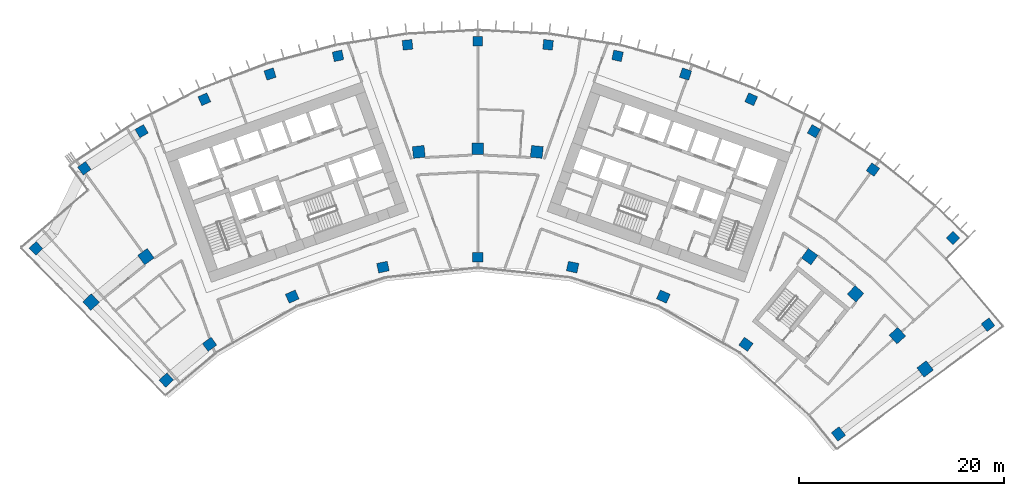
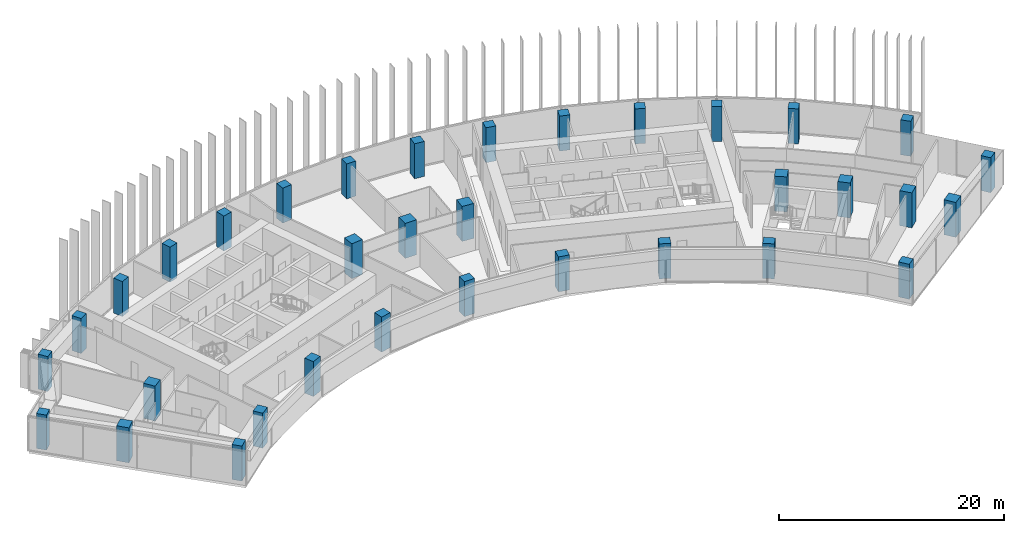
# One storey, part 1 of 19: 34 columns.
"""IFC4 building model written with IfcOpenShell, lengths in metres."""

from ifc_helpers import new_model, si_unit, direction, frame, origin, origin_2d, place, context, subcontext, project, spatial, rectangle, extrude, material, material_profile, profile_set, type_object, element, save


model = new_model("IFC4")

# Units and contexts
model_context = context("Model", 3, precision=1e-05, world=origin(), true_north=direction((0.0, 1.0)))
body_context = subcontext(model_context, "Body", "Model", "MODEL_VIEW")
ifc_project = project(units=[si_unit("LENGTHUNIT", "METRE"), si_unit("AREAUNIT", "SQUARE_METRE"), si_unit("VOLUMEUNIT", "CUBIC_METRE"), si_unit("PLANEANGLEUNIT", "RADIAN"), si_unit("MASSUNIT", "GRAM", prefix="KILO")], contexts=[model_context])

# Site, building, storey
site_placement = place(None, origin())
site = spatial("IfcSite", under=ifc_project, at=site_placement, CompositionType="ELEMENT")
building_placement = place(site_placement, origin())
building = spatial("IfcBuilding", under=site, at=building_placement, Name="Stone Belt Terrace Tower", CompositionType="ELEMENT")
storey_placement = place(building_placement, frame((0.0, 0.0, 223.800048828125)))
storey = spatial("IfcBuildingStorey", under=building, at=storey_placement, Name="L54", CompositionType="ELEMENT", Elevation=223.800048828125)

# Columns
ifc_material = material(Name="Concrete B60", Category="concrete")
ifc_material_profile_1 = material_profile(ifc_material, rectangle(XDim=1.050048828125, YDim=0.949951171875, at=origin_2d()), Name="RC 1050x950")
ifc_profile_set_1 = profile_set([ifc_material_profile_1], Name="Concrete B60")
column_type_1 = type_object("IfcColumnType", Name="Column RC 1050x950 B60", PredefinedType="COLUMN", material=ifc_profile_set_1)
for number, where, z_axis, x_axis, name in (
    (1, (-30.347412109375, 32.471435546875, 0.0), (0.0, 0.0, 1.0), (0.730599788141, 0.68280593844, 0.0), "Column L54 PA"),
    (2, (-26.1240234375, 35.956787109375, 0.0), (0.0, 0.0, 1.0), (0.809016994375, 0.587785252292, 0.0), "Column L54 P16"),
    (3, (-18.077392578125, 40.6025390625, 0.0), (0.0, 0.0, 1.0), (0.913545457643, 0.406736643076, 0.0), "Column L54 P18"),
    (4, (-9.240478515625, 43.473876953125, 0.0), (0.0, 0.0, 1.0), (0.978147600734, 0.207911690818, 0.0), "Column L54 P20"),
    (5, (0.0, 44.445068359375, 0.0), (0.0, 0.0, 1.0), (1.0, 0.0, 0.0), "Column L54 P22"),
    (6, (9.240478515625, 43.473876953125, 0.0), (0.0, 0.0, 1.0), (0.978147600734, -0.207911690818, 0.0), "Column L54 P24"),
    (7, (18.077392578125, 40.6025390625, 0.0), (0.0, 0.0, 1.0), (0.913545457643, -0.406736643076, 0.0), "Column L54 P26"),
    (8, (26.1240234375, 35.956787109375, 0.0), (0.0, 0.0, 1.0), (0.809016994375, -0.587785252292, 0.0), "Column L54 P28"),
    (9, (35.133056640625, 27.221923828125, 0.0), (0.0, 0.0, 1.0), (0.612484967582, -0.790482235402, 0.0), "Column L54 PB"),
):
    element("IfcColumn", number, at=place(storey_placement, frame(where, z_axis=z_axis, x_axis=x_axis)), inside=storey, type_object=column_type_1, Name=name, PredefinedType="COLUMN", context=body_context, shape_type="SweptSolid", body=[
        extrude(rectangle(XDim=1.050048828125, YDim=0.949951171875, at=origin_2d()), origin(), (0.0, 0.0, 1.0), 3.800048828125),
    ])
ifc_material_profile_2 = material_profile(ifc_material, rectangle(XDim=1.14990234375, YDim=1.14990234375, at=origin_2d()), Name="RC 1150x1150")
ifc_profile_set_2 = profile_set([ifc_material_profile_2], Name="Concrete B60")
column_type_2 = type_object("IfcColumnType", Name="Column RC 1150x1150 B60", PredefinedType="COLUMN", material=ifc_profile_set_2)
for number, where, z_axis, x_axis, name in (
    (10, (-37.67626953125, 40.068603515625, 0.0), (0.0, 0.0, 1.0), (0.728520436287, 0.685024068126, 0.0), "Column L54 QA"),
    (11, (-32.328125, 44.495849609375, 0.0), (0.0, 0.0, 1.0), (0.809016994375, 0.587785252292, 0.0), "Column L54 Q16"),
    (12, (-5.7490234375, 54.69873046875, 0.0), (0.0, 0.0, 1.0), (0.994521895368, 0.104528463268, 0.0), "Column L54 Q21"),
    (13, (0.0, 55.0, 0.0), (0.0, 0.0, 1.0), (1.0, 0.0, 0.0), "Column L54 Q22"),
    (14, (5.7490234375, 54.69873046875, 0.0), (0.0, 0.0, 1.0), (0.994521895368, -0.104528463268, 0.0), "Column L54 Q23"),
    (15, (32.328125, 44.495849609375, 0.0), (0.0, 0.0, 1.0), (0.809016994375, -0.587785252292, 0.0), "Column L54 Q28"),
    (16, (36.80224609375, 40.873046875, 0.0), (0.0, 0.0, 1.0), (0.743144825477, -0.669130606359, 0.0), "Column L54 Q29"),
    (17, (40.873046875, 36.80224609375, 0.0), (0.0, 0.0, 1.0), (0.669130606359, -0.743144825477, 0.0), "Column L54 Q30"),
    (18, (43.57861328125, 33.55419921875, 0.0), (0.0, 0.0, 1.0), (0.610078787058, -0.792340755977, 0.0), "Column L54 QB"),
):
    element("IfcColumn", number, at=place(storey_placement, frame(where, z_axis=z_axis, x_axis=x_axis)), inside=storey, type_object=column_type_2, Name=name, PredefinedType="COLUMN", context=body_context, shape_type="SweptSolid", body=[
        extrude(rectangle(XDim=1.14990234375, YDim=1.14990234375, at=origin_2d()), origin(), (0.0, 0.0, 1.0), 3.800048828125),
    ])
ifc_material_profile_3 = material_profile(ifc_material, rectangle(XDim=0.949951171875, YDim=0.949951171875, at=origin_2d()), Name="RC 950x950")
ifc_profile_set_3 = profile_set([ifc_material_profile_3], Name="Concrete B60")
column_type_3 = type_object("IfcColumnType", Name="Column RC 950x950 B60", PredefinedType="COLUMN", material=ifc_profile_set_3)
for number, where, z_axis, x_axis, name in (
    (19, (-43.0419921875, 45.3017578125, 0.0), (0.0, 0.0, 1.0), (0.724958552514, 0.688792492074, 0.0), "Column L54 RA"),
    (20, (49.70947265625, 37.86572265625, 0.0), (0.0, 0.0, 1.0), (0.605960632634, -0.795494633356, 0.0), "Column L54 RB"),
    (21, (-38.32568359375, 53.10302734375, 0.0), (0.0, 0.0, 1.0), (0.810869795087, 0.585226601767, 0.0), "Column L54 RNA"),
    (22, (-32.744384765625, 56.715087890625, 0.0), (0.0, 0.0, 1.0), (0.866025403784, 0.5, 0.0), "Column L54 R17"),
    (23, (-26.63671875, 59.8271484375, 0.0), (0.0, 0.0, 1.0), (0.913545457643, 0.406736643076, 0.0), "Column L54 R18"),
    (24, (-20.2373046875, 62.28369140625, 0.0), (0.0, 0.0, 1.0), (0.951056516295, 0.309016994375, 0.0), "Column L54 R19"),
    (25, (-13.615966796875, 64.057861328125, 0.0), (0.0, 0.0, 1.0), (0.978147600734, 0.207911690818, 0.0), "Column L54 R20"),
    (26, (-6.845458984375, 65.130126953125, 0.0), (0.0, 0.0, 1.0), (0.994521895368, 0.104528463268, 0.0), "Column L54 R21"),
    (27, (0.0, 65.489013671875, 0.0), (0.0, 0.0, 1.0), (1.0, 0.0, 0.0), "Column L54 R22"),
    (28, (6.845458984375, 65.130126953125, 0.0), (0.0, 0.0, 1.0), (0.994521895368, -0.104528463268, 0.0), "Column L54 R23"),
    (29, (13.615966796875, 64.057861328125, 0.0), (0.0, 0.0, 1.0), (0.978147600734, -0.207911690818, 0.0), "Column L54 R24"),
    (30, (20.2373046875, 62.28369140625, 0.0), (0.0, 0.0, 1.0), (0.951056516295, -0.309016994375, 0.0), "Column L54 R25"),
    (31, (26.63671875, 59.8271484375, 0.0), (0.0, 0.0, 1.0), (0.913545457643, -0.406736643076, 0.0), "Column L54 R26"),
    (32, (32.744384765625, 56.715087890625, 0.0), (0.0, 0.0, 1.0), (0.866025403784, -0.5, 0.0), "Column L54 R27"),
    (33, (38.493408203125, 52.981689453125, 0.0), (0.0, 0.0, 1.0), (0.809016994375, -0.587785252292, 0.0), "Column L54 R28"),
    (34, (46.29638671875, 46.318603515625, 0.0), (0.0, 0.0, 1.0), (0.707275837349, -0.706937684596, 0.0), "Column L54 RNB"),
):
    element("IfcColumn", number, at=place(storey_placement, frame(where, z_axis=z_axis, x_axis=x_axis)), inside=storey, type_object=column_type_3, Name=name, PredefinedType="COLUMN", context=body_context, shape_type="SweptSolid", body=[
        extrude(rectangle(XDim=0.949951171875, YDim=0.949951171875, at=origin_2d()), origin(), (0.0, 0.0, 1.0), 3.800048828125),
    ])

save(model, "model.ifc")
